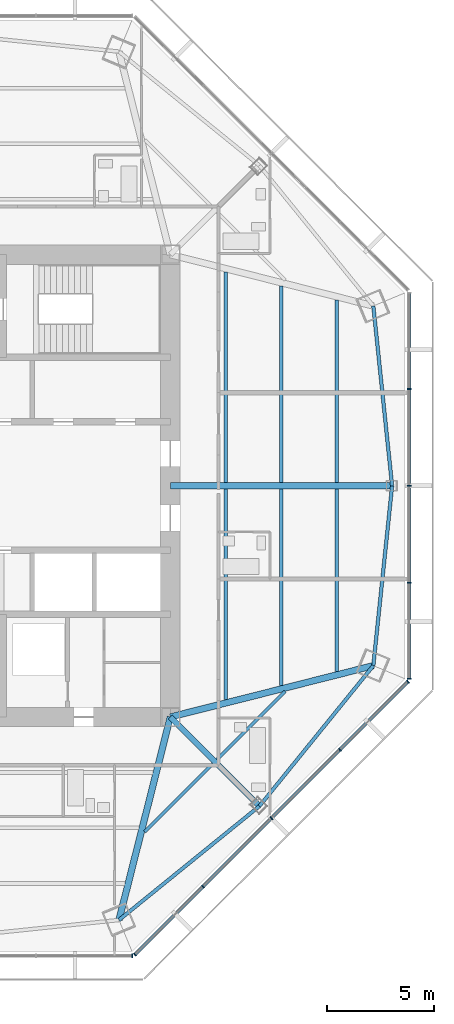
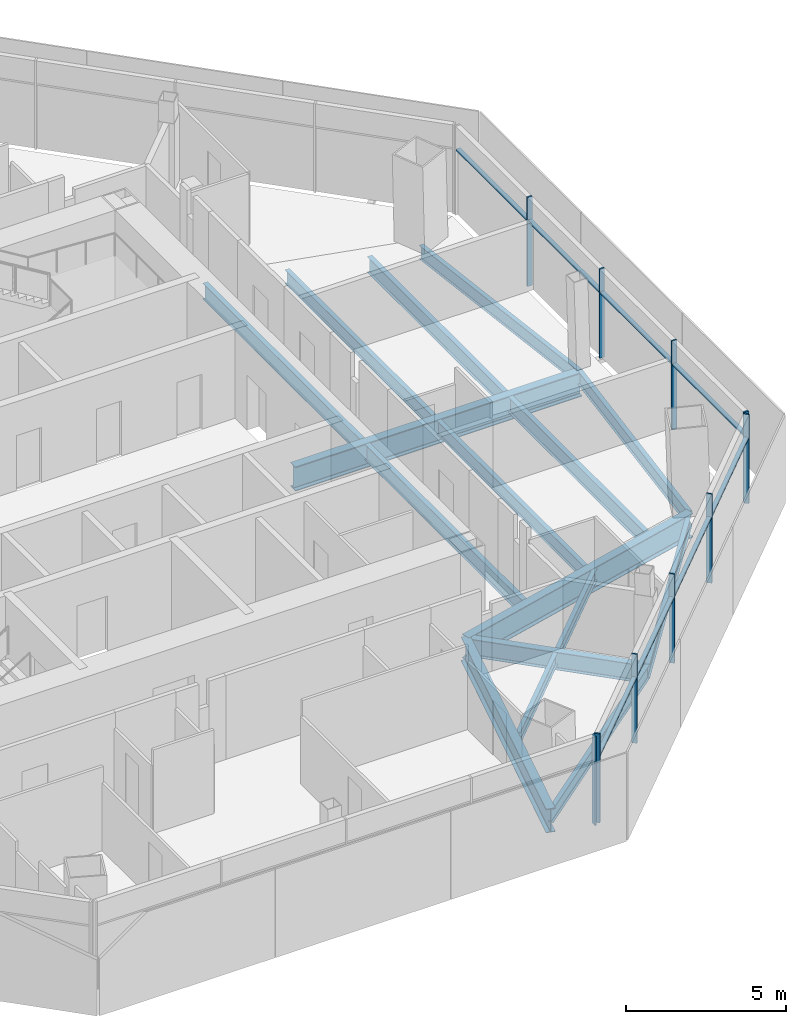
# One storey, part 4 of 15: 18 members, 16 beams, 3 elements without a shape of their own.
"""IFC4 building model written with IfcOpenShell, lengths in metres."""

from ifc_helpers import new_model, si_unit, direction, frame, origin, origin_2d, place, context, subcontext, project, spatial, rectangle, i_section, extrude, source, transform, mapped, material, material_profile, profile_set, type_object, type_shapes, element, aggregate, save


model = new_model("IFC4")

# Units and contexts
model_context = context("Model", 3, precision=1e-05, world=origin(), true_north=direction((0.0, 1.0)))
body_context = subcontext(model_context, "Body", "Model", "MODEL_VIEW")
ifc_project = project(units=[si_unit("LENGTHUNIT", "METRE"), si_unit("AREAUNIT", "SQUARE_METRE"), si_unit("VOLUMEUNIT", "CUBIC_METRE"), si_unit("PLANEANGLEUNIT", "RADIAN"), si_unit("MASSUNIT", "GRAM", prefix="KILO")], contexts=[model_context])

# Site, building, storey
site_placement = place(None, origin())
site = spatial("IfcSite", under=ifc_project, at=site_placement, CompositionType="ELEMENT")
building_placement = place(site_placement, origin())
building = spatial("IfcBuilding", under=site, at=building_placement, Name="Mashrafa Tower", CompositionType="ELEMENT")
storey_placement = place(building_placement, frame((0.0, 0.0, 214.199951171875)))
storey = spatial("IfcBuildingStorey", under=building, at=storey_placement, Name="L49", CompositionType="ELEMENT", Elevation=214.199951171875)

# Beams
ifc_material_1 = material(Name="Steel ASTM A992", Category="steel")
ifc_material_profile_1 = material_profile(ifc_material_1, i_section(OverallWidth=0.15234375, OverallDepth=0.449462890625, WebThickness=0.007568359375, FlangeThickness=0.0107421875, FilletRadius=0.01025390625, at=origin_2d()), Name="W18X35")
ifc_profile_set_1 = profile_set([ifc_material_profile_1], Name="Steel ASTM A992")
beam_type_1 = type_object("IfcBeamType", Name="Beam W18X35", PredefinedType="BEAM", material=ifc_profile_set_1)
for number, where, z_axis, x_axis, name in (
    (1, (12.791748046875, -12.971435546875, -0.4248046875), (-0.707106781187, -0.707106781187, 0.0), (0.707106781187, -0.707106781187, 0.0), "Floor beam L49 024"),
    (2, (16.162353515625, -9.600830078125, -0.4248046875), (-0.707106781187, -0.707106781187, 0.0), (0.707106781187, -0.707106781187, 0.0), "Floor beam L49 030"),
):
    element("IfcBeam", number, at=place(storey_placement, frame(where, z_axis=z_axis, x_axis=x_axis)), inside=storey, type_object=beam_type_1, Name=name, PredefinedType="BEAM", context=body_context, shape_type="SweptSolid", body=[
        extrude(i_section(OverallWidth=0.15234375, OverallDepth=0.449462890625, WebThickness=0.007568359375, FlangeThickness=0.0107421875, FilletRadius=0.01025390625, at=origin_2d()), origin(), (0.0, 0.0, 1.0), 4.5126953125),
    ])
ifc_material_2 = material(Name="Steel ASTM A992", Category="steel")
ifc_material_profile_2 = material_profile(ifc_material_2, i_section(OverallWidth=0.1650390625, OverallDepth=0.52587890625, WebThickness=0.0087890625, FlangeThickness=0.011474609375, FilletRadius=0.0126953125, at=origin_2d()), Name="W21X44")
ifc_profile_set_2 = profile_set([ifc_material_profile_2], Name="Steel ASTM A992")
beam_type_2 = type_object("IfcBeamType", Name="Beam W21X44", PredefinedType="BEAM", material=ifc_profile_set_2)
for number, where, z_axis, x_axis, name in (
    (3, (15.98046875, -0.15380859375, -0.462890625), (0.0, -1.0, 0.0), (1.0, 0.0, 0.0), "Floor beam L49 028"),
    (4, (15.98046875, 9.33251953125, -0.462890625), (0.0, -1.0, 0.0), (1.0, 0.0, 0.0), "Floor beam L49 029"),
):
    element("IfcBeam", number, at=place(storey_placement, frame(where, z_axis=z_axis, x_axis=x_axis)), inside=storey, type_object=beam_type_2, Name=name, PredefinedType="BEAM", context=body_context, shape_type="SweptSolid", body=[
        extrude(i_section(OverallWidth=0.1650390625, OverallDepth=0.52587890625, WebThickness=0.0087890625, FlangeThickness=0.011474609375, FilletRadius=0.0126953125, at=origin_2d()), origin(), (0.0, 0.0, 1.0), 9.1787109375),
    ])
for number, where, z_axis, x_axis, name in (
    (5, (8.4013671875, -20.28271484375, -0.462890625), (0.776800456415, 0.629746814929, 0.0), (-0.629746814929, 0.776800456415, 0.0), "Spandrel beam L49 058"),
    (6, (14.963134765625, -14.963134765625, -0.462890625), (0.629746814929, 0.776800456415, 0.0), (-0.776800456415, 0.629746814929, 0.0), "Spandrel beam L49 060"),
):
    element("IfcBeam", number, at=place(storey_placement, frame(where, z_axis=z_axis, x_axis=x_axis)), inside=storey, type_object=beam_type_2, Name=name, PredefinedType="BEAM", context=body_context, shape_type="SweptSolid", body=[
        extrude(i_section(OverallWidth=0.1650390625, OverallDepth=0.52587890625, WebThickness=0.0087890625, FlangeThickness=0.011474609375, FilletRadius=0.0126953125, at=origin_2d()), origin(), (0.0, 0.0, 1.0), 8.447265625),
    ])
for number, where, z_axis, x_axis, name in (
    (7, (20.28271484375, -8.4013671875, -0.462890625), (0.103961094056, 0.994581364657, 0.0), (-0.994581364657, 0.103961094056, 0.0), "Spandrel beam L49 062"),
    (8, (21.160888671875, 0.0, -0.462890625), (-0.103961094056, 0.994581364657, 0.0), (-0.994581364657, -0.103961094056, 0.0), "Spandrel beam L49 064"),
):
    element("IfcBeam", number, at=place(storey_placement, frame(where, z_axis=z_axis, x_axis=x_axis)), inside=storey, type_object=beam_type_2, Name=name, PredefinedType="BEAM", context=body_context, shape_type="SweptSolid", body=[
        extrude(i_section(OverallWidth=0.1650390625, OverallDepth=0.52587890625, WebThickness=0.0087890625, FlangeThickness=0.011474609375, FilletRadius=0.0126953125, at=origin_2d()), origin(), (0.0, 0.0, 1.0), 8.447021484375),
    ])
ifc_material_3 = material(Name="Steel ASTM A992", Category="steel")
ifc_material_profile_3 = material_profile(ifc_material_3, i_section(OverallWidth=0.177978515625, OverallDepth=0.599365234375, WebThickness=0.010009765625, FlangeThickness=0.012939453125, FilletRadius=0.012939453125, at=origin_2d()), Name="W24X55")
ifc_profile_set_3 = profile_set([ifc_material_profile_3], Name="Steel ASTM A992")
beam_type_3 = type_object("IfcBeamType", Name="Beam W24X55", PredefinedType="BEAM", material=ifc_profile_set_3)
for number, where, z_axis, x_axis, name in (
    (9, (13.390380859375, -0.15380859375, -0.499755859375), (0.0, -1.0, 0.0), (1.0, 0.0, 0.0), "Floor beam L49 026"),
    (10, (13.390380859375, 9.987548828125, -0.499755859375), (0.0, -1.0, 0.0), (1.0, 0.0, 0.0), "Floor beam L49 027"),
):
    element("IfcBeam", number, at=place(storey_placement, frame(where, z_axis=z_axis, x_axis=x_axis)), inside=storey, type_object=beam_type_3, Name=name, PredefinedType="BEAM", context=body_context, shape_type="SweptSolid", body=[
        extrude(i_section(OverallWidth=0.177978515625, OverallDepth=0.599365234375, WebThickness=0.010009765625, FlangeThickness=0.012939453125, FilletRadius=0.012939453125, at=origin_2d()), origin(), (0.0, 0.0, 1.0), 9.833740234375),
    ])
for number, where, z_axis, x_axis, name in (
    (11, (18.57080078125, -0.15380859375, -0.499755859375), (0.0, -1.0, 0.0), (1.0, 0.0, 0.0), "Floor beam L49 031"),
    (12, (18.57080078125, 8.67724609375, -0.499755859375), (0.0, -1.0, 0.0), (1.0, 0.0, 0.0), "Floor beam L49 032"),
):
    element("IfcBeam", number, at=place(storey_placement, frame(where, z_axis=z_axis, x_axis=x_axis)), inside=storey, type_object=beam_type_3, Name=name, PredefinedType="BEAM", context=body_context, shape_type="SweptSolid", body=[
        extrude(i_section(OverallWidth=0.177978515625, OverallDepth=0.599365234375, WebThickness=0.010009765625, FlangeThickness=0.012939453125, FilletRadius=0.012939453125, at=origin_2d()), origin(), (0.0, 0.0, 1.0), 8.5234375),
    ])
ifc_material_4 = material(Name="Steel ASTM A992", Category="steel")
ifc_material_profile_4 = material_profile(ifc_material_4, i_section(OverallWidth=0.25390625, OverallDepth=0.67822265625, WebThickness=0.01171875, FlangeThickness=0.016357421875, FilletRadius=0.01513671875, at=origin_2d()), Name="W27X84")
ifc_profile_set_4 = profile_set([ifc_material_profile_4], Name="Steel ASTM A992")
beam_type_4 = type_object("IfcBeamType", Name="Beam W27X84", PredefinedType="BEAM", material=ifc_profile_set_4)
beam_1_placement = place(storey_placement, frame((10.800048828125, -10.800048828125, -0.5390625), z_axis=(0.707106781187, -0.707106781187, 0.0), x_axis=(0.707106781187, 0.707106781187, 0.0)))
element("IfcBeam", 13, at=beam_1_placement, inside=storey, type_object=beam_type_4, Name="Radial girder L49 043", PredefinedType="BEAM", context=body_context, shape_type="SweptSolid", body=[
    extrude(i_section(OverallWidth=0.25390625, OverallDepth=0.67822265625, WebThickness=0.01171875, FlangeThickness=0.016357421875, FilletRadius=0.01513671875, at=origin_2d()), origin(), (0.0, 0.0, 1.0), 5.887451171875),
])
ifc_material_5 = material(Name="Steel ASTM A992", Category="steel")
ifc_material_profile_5 = material_profile(ifc_material_5, i_section(OverallWidth=0.3046875, OverallDepth=0.911865234375, WebThickness=0.015869140625, FlangeThickness=0.02392578125, FilletRadius=0.01904296875, at=origin_2d()), Name="W36X150")
ifc_profile_set_5 = profile_set([ifc_material_profile_5], Name="Steel ASTM A992")
beam_type_5 = type_object("IfcBeamType", Name="Beam W36X150", PredefinedType="BEAM", material=ifc_profile_set_5)
for number, where, z_axis, x_axis, name in (
    (14, (10.800048828125, -10.800048828125, -0.65576171875), (-0.245230350625, -0.969464839554, 0.0), (0.969464839554, -0.245230350625, 0.0), "Radial girder L49 042"),
    (15, (10.800048828125, -10.800048828125, -0.65576171875), (0.969464839554, 0.245230350625, 0.0), (-0.245230350625, 0.969464839554, 0.0), "Radial girder L49 044"),
):
    element("IfcBeam", number, at=place(storey_placement, frame(where, z_axis=z_axis, x_axis=x_axis)), inside=storey, type_object=beam_type_5, Name=name, PredefinedType="BEAM", context=body_context, shape_type="SweptSolid", body=[
        extrude(i_section(OverallWidth=0.3046875, OverallDepth=0.911865234375, WebThickness=0.015869140625, FlangeThickness=0.02392578125, FilletRadius=0.01904296875, at=origin_2d()), origin(), (0.0, 0.0, 1.0), 9.78125),
    ])
ifc_material_6 = material(Name="Steel ASTM A992", Category="steel")
ifc_material_profile_6 = material_profile(ifc_material_6, i_section(OverallWidth=0.307373046875, OverallDepth=0.927001953125, WebThickness=0.01953125, FlangeThickness=0.031982421875, FilletRadius=0.01904296875, at=origin_2d()), Name="W36X194")
ifc_profile_set_6 = profile_set([ifc_material_profile_6], Name="Steel ASTM A992")
beam_type_6 = type_object("IfcBeamType", Name="Beam W36X194", PredefinedType="BEAM", material=ifc_profile_set_6)
beam_2_placement = place(storey_placement, frame((10.800048828125, 0.0, -0.66357421875), z_axis=(1.0, 0.0, 0.0), x_axis=(0.0, 1.0, 0.0)))
element("IfcBeam", 16, at=beam_2_placement, inside=storey, type_object=beam_type_6, Name="Radial girder L49 045", PredefinedType="BEAM", context=body_context, shape_type="SweptSolid", body=[
    extrude(i_section(OverallWidth=0.307373046875, OverallDepth=0.927001953125, WebThickness=0.01953125, FlangeThickness=0.031982421875, FilletRadius=0.01904296875, at=origin_2d()), origin(), (0.0, 0.0, 1.0), 10.36083984375),
])

# Curtain wall, members
ifc_material_7 = material(Name="Unitised aluminium curtain wall", Category="aluminium")
curtain_wall_type = type_object("IfcCurtainWallType", Name="Apartment curtain wall, zone 3 CW-C 180 deep", PredefinedType="NOTDEFINED", material=ifc_material_7)
curtain_wall_1_placement = place(storey_placement, origin())
curtain_wall_1 = element("IfcCurtainWall", 17, at=curtain_wall_1_placement, inside=storey, type_object=curtain_wall_type, Name="Apartment curtain wall, zone 3 L49 east", PredefinedType="NOTDEFINED")
ifc_material_8 = material(Name="Extruded aluminium mullion", Category="aluminium")
ifc_material_profile_7 = material_profile(ifc_material_8, rectangle(XDim=0.179931640625, YDim=0.06005859375, at=origin_2d()), Name="Mullion 60x180")
ifc_profile_set_7 = profile_set([ifc_material_profile_7], Name="Extruded aluminium mullion")
member_type_1 = type_object("IfcMemberType", Name="Mullion CW-C 60 x 180", PredefinedType="MULLION", material=ifc_profile_set_7)
shared_shape_1 = source(origin(), body_context, "Body", "SweptSolid", [
    extrude(rectangle(XDim=0.179931640625, YDim=0.06005859375, at=origin_2d()), origin(), (0.0, 0.0, 1.0), 3.400146484375),
])
type_shapes(member_type_1, [shared_shape_1])
member_1_placement = place(storey_placement, frame((21.955322265625, -9.016845703125, 0.0), z_axis=(0.0, 0.0, 1.0), x_axis=(-1.0, 0.0, 0.0)))
member_1 = element("IfcMember", 18, at=member_1_placement, type_object=member_type_1, Name="CW-C mullion 1", PredefinedType="MULLION", context=body_context, shape_type="MappedRepresentation", body=[
    mapped(shared_shape_1, transform((0.0, 0.0, 0.0))),
])
member_2_placement = place(storey_placement, frame((21.955322265625, -4.5234375, 0.0), z_axis=(0.0, 0.0, 1.0), x_axis=(-1.0, 0.0, 0.0)))
member_2 = element("IfcMember", 19, at=member_2_placement, type_object=member_type_1, Name="CW-C mullion 2", PredefinedType="MULLION", context=body_context, shape_type="MappedRepresentation", body=[
    mapped(shared_shape_1, transform((0.0, 0.0, 0.0))),
])
member_3_placement = place(storey_placement, frame((21.955322265625, 0.0, 0.0), z_axis=(0.0, 0.0, 1.0), x_axis=(-1.0, 0.0, 0.0)))
member_3 = element("IfcMember", 20, at=member_3_placement, type_object=member_type_1, Name="CW-C mullion 3", PredefinedType="MULLION", context=body_context, shape_type="MappedRepresentation", body=[
    mapped(shared_shape_1, transform((0.0, 0.0, 0.0))),
])
member_4_placement = place(storey_placement, frame((21.955322265625, 4.5234375, 0.0), z_axis=(0.0, 0.0, 1.0), x_axis=(-1.0, 0.0, 0.0)))
member_4 = element("IfcMember", 21, at=member_4_placement, type_object=member_type_1, Name="CW-C mullion 4", PredefinedType="MULLION", context=body_context, shape_type="MappedRepresentation", body=[
    mapped(shared_shape_1, transform((0.0, 0.0, 0.0))),
])

# Curtain wall, member
curtain_wall_2_placement = place(storey_placement, origin())
curtain_wall_2 = element("IfcCurtainWall", 22, at=curtain_wall_2_placement, inside=storey, type_object=curtain_wall_type, Name="Apartment curtain wall, zone 3 L49 south", PredefinedType="NOTDEFINED")
member_5_placement = place(storey_placement, frame((9.016845703125, -21.955322265625, 0.0), z_axis=(0.0, 0.0, 1.0), x_axis=(0.0, 1.0, 0.0)))
member_5 = element("IfcMember", 23, at=member_5_placement, type_object=member_type_1, Name="CW-C mullion 5", PredefinedType="MULLION", context=body_context, shape_type="MappedRepresentation", body=[
    mapped(shared_shape_1, transform((0.0, 0.0, 0.0))),
])
aggregate(curtain_wall_2, [member_5])

# Curtain wall, members
curtain_wall_3_placement = place(storey_placement, origin())
curtain_wall_3 = element("IfcCurtainWall", 24, at=curtain_wall_3_placement, inside=storey, type_object=curtain_wall_type, Name="Apartment curtain wall, zone 3 L49 south-east", PredefinedType="NOTDEFINED")
member_6_placement = place(storey_placement, frame((9.14892578125, -21.900634765625, 0.0), z_axis=(0.0, 0.0, 1.0), x_axis=(-0.707106781187, 0.707106781187, 0.0)))
member_6 = element("IfcMember", 25, at=member_6_placement, type_object=member_type_1, Name="CW-C mullion 1", PredefinedType="MULLION", context=body_context, shape_type="MappedRepresentation", body=[
    mapped(shared_shape_1, transform((0.0, 0.0, 0.0))),
])
member_7_placement = place(storey_placement, frame((12.326171875, -18.723388671875, 0.0), z_axis=(0.0, 0.0, 1.0), x_axis=(-0.707106781187, 0.707106781187, 0.0)))
member_7 = element("IfcMember", 26, at=member_7_placement, type_object=member_type_1, Name="CW-C mullion 2", PredefinedType="MULLION", context=body_context, shape_type="MappedRepresentation", body=[
    mapped(shared_shape_1, transform((0.0, 0.0, 0.0))),
])
member_8_placement = place(storey_placement, frame((15.524658203125, -15.524658203125, 0.0), z_axis=(0.0, 0.0, 1.0), x_axis=(-0.707106781187, 0.707106781187, 0.0)))
member_8 = element("IfcMember", 27, at=member_8_placement, type_object=member_type_1, Name="CW-C mullion 3", PredefinedType="MULLION", context=body_context, shape_type="MappedRepresentation", body=[
    mapped(shared_shape_1, transform((0.0, 0.0, 0.0))),
])
member_9_placement = place(storey_placement, frame((18.723388671875, -12.326171875, 0.0), z_axis=(0.0, 0.0, 1.0), x_axis=(-0.707106781187, 0.707106781187, 0.0)))
member_9 = element("IfcMember", 28, at=member_9_placement, type_object=member_type_1, Name="CW-C mullion 4", PredefinedType="MULLION", context=body_context, shape_type="MappedRepresentation", body=[
    mapped(shared_shape_1, transform((0.0, 0.0, 0.0))),
])
member_10_placement = place(storey_placement, frame((21.900634765625, -9.14892578125, 0.0), z_axis=(0.0, 0.0, 1.0), x_axis=(-0.707106781187, 0.707106781187, 0.0)))
member_10 = element("IfcMember", 29, at=member_10_placement, type_object=member_type_1, Name="CW-C mullion 5", PredefinedType="MULLION", context=body_context, shape_type="MappedRepresentation", body=[
    mapped(shared_shape_1, transform((0.0, 0.0, 0.0))),
])

# Member
ifc_material_9 = material(Name="Extruded aluminium transom", Category="aluminium")
ifc_material_profile_8 = material_profile(ifc_material_9, rectangle(XDim=0.14404296875, YDim=0.074951171875, at=origin_2d()), Name="Transom 75x144")
ifc_profile_set_8 = profile_set([ifc_material_profile_8], Name="Extruded aluminium transom")
member_type_2 = type_object("IfcMemberType", Name="Transom CW-C 75 x 144", PredefinedType="MULLION", material=ifc_profile_set_8)
shared_shape_2 = source(origin(), body_context, "Body", "SweptSolid", [
    extrude(rectangle(XDim=0.14404296875, YDim=0.074951171875, at=origin_2d()), origin(), (0.0, 0.0, 1.0), 4.433349609375),
])
member_11_placement = place(storey_placement, frame((21.955322265625, -8.98681640625, 2.5), z_axis=(0.0, 1.0, 0.0), x_axis=(-1.0, 0.0, 0.0)))
member_11 = element("IfcMember", 30, at=member_11_placement, type_object=member_type_2, Name="CW-C transom 1", PredefinedType="MULLION", context=body_context, shape_type="MappedRepresentation", body=[
    mapped(shared_shape_2, transform((0.0, 0.0, 0.0))),
])

member_12_placement = place(storey_placement, frame((21.955322265625, 4.553466796875, 2.5), z_axis=(0.0, 1.0, 0.0), x_axis=(-1.0, 0.0, 0.0)))
member_12 = element("IfcMember", 31, at=member_12_placement, type_object=member_type_2, Name="CW-C transom 4", PredefinedType="MULLION", context=body_context, shape_type="MappedRepresentation", body=[
    mapped(shared_shape_2, transform((0.0, 0.0, 0.0))),
])

member_13_placement = place(storey_placement, frame((9.169921875, -21.87939453125, 2.5), z_axis=(0.707134314889, 0.707079246412, 0.0), x_axis=(-0.707079246412, 0.707134314889, 0.0)))
member_13 = element("IfcMember", 32, at=member_13_placement, type_object=member_type_2, Name="CW-C transom 1", PredefinedType="MULLION", context=body_context, shape_type="MappedRepresentation", body=[
    mapped(shared_shape_2, transform((0.0, 0.0, 0.0))),
])

member_14_placement = place(storey_placement, frame((18.74462890625, -12.304931640625, 2.5), z_axis=(0.707079246412, 0.707134314889, 0.0), x_axis=(-0.707134314889, 0.707079246412, 0.0)))
member_14 = element("IfcMember", 33, at=member_14_placement, type_object=member_type_2, Name="CW-C transom 4", PredefinedType="MULLION", context=body_context, shape_type="MappedRepresentation", body=[
    mapped(shared_shape_2, transform((0.0, 0.0, 0.0))),
])

shared_shape_3 = source(origin(), body_context, "Body", "SweptSolid", [
    extrude(rectangle(XDim=0.14404296875, YDim=0.074951171875, at=origin_2d()), origin(), (0.0, 0.0, 1.0), 4.46337890625),
])
type_shapes(member_type_2, [shared_shape_2, shared_shape_3])
member_15_placement = place(storey_placement, frame((21.955322265625, -4.493408203125, 2.5), z_axis=(0.0, 1.0, 0.0), x_axis=(-1.0, 0.0, 0.0)))
member_15 = element("IfcMember", 34, at=member_15_placement, type_object=member_type_2, Name="CW-C transom 2", PredefinedType="MULLION", context=body_context, shape_type="MappedRepresentation", body=[
    mapped(shared_shape_3, transform((0.0, 0.0, 0.0))),
])

member_16_placement = place(storey_placement, frame((21.955322265625, 0.030029296875, 2.5), z_axis=(0.0, 1.0, 0.0), x_axis=(-1.0, 0.0, 0.0)))
member_16 = element("IfcMember", 35, at=member_16_placement, type_object=member_type_2, Name="CW-C transom 3", PredefinedType="MULLION", context=body_context, shape_type="MappedRepresentation", body=[
    mapped(shared_shape_3, transform((0.0, 0.0, 0.0))),
])

aggregate(curtain_wall_1, [member_1, member_2, member_3, member_4, member_11, member_15, member_16, member_12])

member_17_placement = place(storey_placement, frame((12.347412109375, -18.7021484375, 2.5), z_axis=(0.70707943172, 0.707134129595, 0.0), x_axis=(-0.707134129595, 0.70707943172, 0.0)))
member_17 = element("IfcMember", 36, at=member_17_placement, type_object=member_type_2, Name="CW-C transom 2", PredefinedType="MULLION", context=body_context, shape_type="MappedRepresentation", body=[
    mapped(shared_shape_3, transform((0.0, 0.0, 0.0))),
])

member_18_placement = place(storey_placement, frame((15.5458984375, -15.50341796875, 2.5), z_axis=(0.707134129595, 0.70707943172, 0.0), x_axis=(-0.70707943172, 0.707134129595, 0.0)))
member_18 = element("IfcMember", 37, at=member_18_placement, type_object=member_type_2, Name="CW-C transom 3", PredefinedType="MULLION", context=body_context, shape_type="MappedRepresentation", body=[
    mapped(shared_shape_3, transform((0.0, 0.0, 0.0))),
])

aggregate(curtain_wall_3, [member_6, member_7, member_8, member_9, member_10, member_13, member_17, member_18, member_14])

save(model, "model.ifc")
